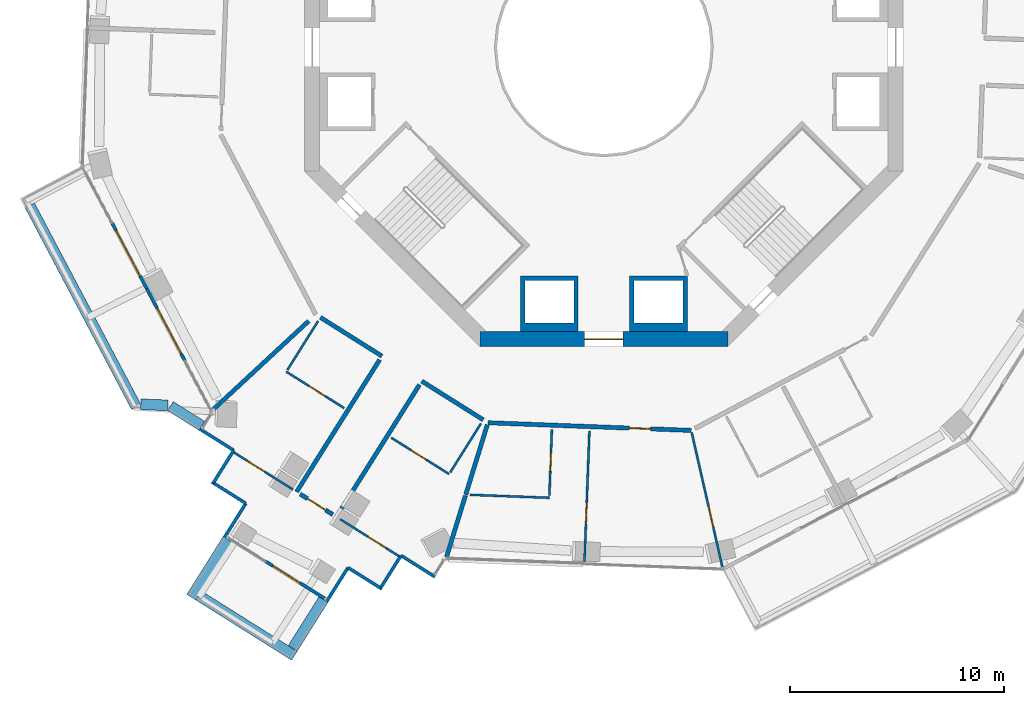
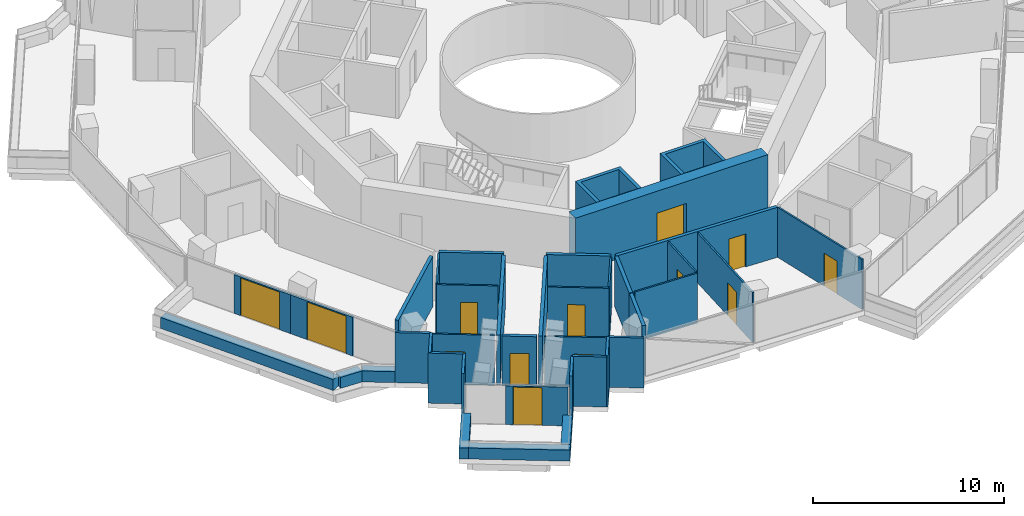
# One storey, part 15 of 23: 39 walls, 13 doors, 13 openings.
"""IFC4 building model written with IfcOpenShell, lengths in metres."""

from ifc_helpers import new_model, si_unit, direction, frame, frame_2d, origin, place, context, subcontext, project, spatial, polyline, rectangle, outline, extrude, material, layer, layer_set, type_object, element, fill, save


model = new_model("IFC4")

# Units and contexts
model_context = context("Model", 3, precision=1e-05, world=origin(), true_north=direction((0.0, 1.0)))
body_context = subcontext(model_context, "Body", "Model", "MODEL_VIEW")
ifc_project = project(units=[si_unit("LENGTHUNIT", "METRE"), si_unit("AREAUNIT", "SQUARE_METRE"), si_unit("VOLUMEUNIT", "CUBIC_METRE"), si_unit("PLANEANGLEUNIT", "RADIAN"), si_unit("MASSUNIT", "GRAM", prefix="KILO")], contexts=[model_context])

# Site, building, storey
site_placement = place(None, origin())
site = spatial("IfcSite", under=ifc_project, at=site_placement, CompositionType="ELEMENT")
building_placement = place(site_placement, origin())
building = spatial("IfcBuilding", under=site, at=building_placement, Name="Verdalira Terraces Hotel", CompositionType="ELEMENT")
storey_placement = place(building_placement, frame((0.0, 0.0, 147.0)))
storey = spatial("IfcBuildingStorey", under=building, at=storey_placement, Name="L35", CompositionType="ELEMENT", Elevation=147.0)

# Walls
ifc_material_1 = material(Name="Concrete C40", Category="concrete")
ifc_layer_1 = layer(ifc_material_1, 0.5)
ifc_layer_set_1 = layer_set([ifc_layer_1], Name="Balcony planter trough with tree")
wall_type_1 = type_object("IfcWallType", Name="Balcony planter trough with tree", PredefinedType="SOLIDWALL", material=ifc_layer_set_1)
wall_1_placement = place(storey_placement, frame((-26.861084, -7.400879, 0.0), z_axis=(0.0, 0.0, 1.0), x_axis=(0.466996617, -0.884259102, 0.0)))
element("IfcWall", 1, at=wall_1_placement, inside=storey, type_object=wall_type_1, Name="Balcony planter", PredefinedType="SOLIDWALL", context=body_context, shape_type="SweptSolid", body=[
    extrude(rectangle(XDim=10.652344, YDim=0.5, at=frame_2d((5.326172, 0.0))), origin(), (0.0, 0.0, 1.0), 0.699951),
])
wall_2_placement = place(storey_placement, frame((-21.665283, -16.703613, 0.0), z_axis=(0.0, 0.0, 1.0), x_axis=(0.999288074, -0.037727236, 0.0)))
element("IfcWall", 2, at=wall_2_placement, inside=storey, type_object=wall_type_1, Name="Balcony planter", PredefinedType="SOLIDWALL", context=body_context, shape_type="SweptSolid", body=[
    extrude(rectangle(XDim=1.261963, YDim=0.5, at=frame_2d((0.630859, 0.0))), origin(), (0.0, 0.0, 1.0), 0.699951),
])
wall_3_placement = place(storey_placement, frame((-20.280518, -16.789307, 0.0), z_axis=(0.0, 0.0, 1.0), x_axis=(0.846553018, -0.532304413, 0.0)))
element("IfcWall", 3, at=wall_3_placement, inside=storey, type_object=wall_type_1, Name="Balcony planter", PredefinedType="SOLIDWALL", context=body_context, shape_type="SweptSolid", body=[
    extrude(rectangle(XDim=1.730957, YDim=0.5, at=frame_2d((0.865479, 0.0))), origin(), (0.0, 0.0, 1.0), 0.699951),
])
wall_4_placement = place(storey_placement, frame((-17.604736, -23.020752, 0.0), z_axis=(0.0, 0.0, 1.0), x_axis=(-0.53229501, -0.846558931, 0.0)))
element("IfcWall", 4, at=wall_4_placement, inside=storey, type_object=wall_type_1, Name="Balcony planter", PredefinedType="SOLIDWALL", context=body_context, shape_type="SweptSolid", body=[
    extrude(rectangle(XDim=3.199219, YDim=0.5, at=frame_2d((1.599609, 0.0))), origin(), (0.0, 0.0, 1.0), 0.699951),
])
wall_5_placement = place(storey_placement, frame((-18.962891, -25.650391, 0.0), z_axis=(0.0, 0.0, 1.0), x_axis=(0.846571907, -0.532274371, 0.0)))
element("IfcWall", 5, at=wall_5_placement, inside=storey, type_object=wall_type_1, Name="Balcony planter", PredefinedType="SOLIDWALL", context=body_context, shape_type="SweptSolid", body=[
    extrude(rectangle(XDim=5.300049, YDim=0.5, at=frame_2d((2.649902, 0.0))), origin(), (0.0, 0.0, 1.0), 0.699951),
])
wall_6_placement = place(storey_placement, frame((-14.554688, -28.126709, 0.0), z_axis=(0.0, 0.0, 1.0), x_axis=(0.532314177, 0.846546878, 0.0)))
element("IfcWall", 6, at=wall_6_placement, inside=storey, type_object=wall_type_1, Name="Balcony planter", PredefinedType="SOLIDWALL", context=body_context, shape_type="SweptSolid", body=[
    extrude(rectangle(XDim=2.699219, YDim=0.5, at=frame_2d((1.349609, 0.0))), origin(), (0.0, 0.0, 1.0), 0.699951),
])

# Wall, opening, door
ifc_material_2 = material(Name="Moisture-resistant gypsum board partition")
ifc_layer_2 = layer(ifc_material_2, 0.10009765625)
ifc_layer_set_2 = layer_set([ifc_layer_2], Name="Bathroom partition 100 mm")
wall_type_2 = type_object("IfcWallType", Name="Bathroom partition 100 mm", PredefinedType="PARTITIONING", material=ifc_layer_set_2)
wall_7_placement = place(storey_placement, frame((-17.298096, -18.959961, 0.0), z_axis=(0.0, 0.0, 1.0), x_axis=(0.846561157, -0.532291469, 0.0)))
wall_7 = element("IfcWall", 7, at=wall_7_placement, inside=storey, type_object=wall_type_2, Name="Bathroom partition", PredefinedType="PARTITIONING", context=body_context, shape_type="SweptSolid", body=[
    extrude(rectangle(XDim=3.251953, YDim=0.100098, at=frame_2d((1.625977, 0.0))), origin(), (0.0, 0.0, 1.0), 3.189941),
])
opening_1_placement = place(wall_7_placement, frame((0.699951, 0.0, 0.0)))
opening_1 = element("IfcOpeningElement", 8, at=opening_1_placement, cuts=wall_7, Name="Opening L35-111", PredefinedType="OPENING", context=body_context, shape_type="SweptSolid", body=[
    extrude(rectangle(XDim=1.0, YDim=2.100098, at=frame_2d((0.5, 1.050049))), frame((0.0, 0.060059, 0.0), z_axis=(0.0, -1.0, 0.0), x_axis=(1.0, 0.0, 0.0)), (0.0, 0.0, 1.0), 0.120117),
])
ifc_material_3 = material(Name="Timber door", Category="wood")
door_type_1 = type_object("IfcDoorType", Name="Suite internal door 1000 x 2100", OperationType="NOTDEFINED", PredefinedType="DOOR", material=ifc_material_3)
door_1_placement = place(opening_1_placement, origin())
door_1 = element("IfcDoor", 9, at=door_1_placement, inside=storey, type_object=door_type_1, Name="Suite internal door 3505", OperationType="SINGLE_SWING_LEFT", OverallHeight=2.10009765625, OverallWidth=1.0, PredefinedType="DOOR", context=body_context, shape_type="SweptSolid", body=[
    extrude(rectangle(XDim=1.0, YDim=2.100098, at=frame_2d((0.5, 1.050049))), frame((0.0, 0.024902, 0.0), z_axis=(0.0, -1.0, 0.0), x_axis=(1.0, 0.0, 0.0)), (0.0, 0.0, 1.0), 0.050049),
])
fill(opening_1, door_1)

# Wall
wall_8_placement = place(storey_placement, frame((-13.368408, -12.807617, 0.0), z_axis=(0.0, 0.0, 1.0), x_axis=(-0.532321537, -0.84654225, 0.0)))
element("IfcWall", 10, at=wall_8_placement, inside=storey, type_object=wall_type_2, Name="Bathroom partition", PredefinedType="PARTITIONING", context=body_context, shape_type="SweptSolid", body=[
    extrude(rectangle(XDim=2.699951, YDim=0.100098, at=frame_2d((1.350098, 0.0))), origin(), (0.0, 0.0, 1.0), 3.189941),
])

# Wall, opening, door
wall_9_placement = place(storey_placement, frame((-14.858887, -15.177979, 0.0), z_axis=(0.0, 0.0, 1.0), x_axis=(0.846555022, -0.532301225, 0.0)))
wall_9 = element("IfcWall", 11, at=wall_9_placement, inside=storey, type_object=wall_type_2, Name="Bathroom partition", PredefinedType="PARTITIONING", context=body_context, shape_type="SweptSolid", body=[
    extrude(rectangle(XDim=3.199951, YDim=0.100098, at=frame_2d((1.600098, 0.0))), origin(), (0.0, 0.0, 1.0), 3.189941),
])
opening_2_placement = place(wall_9_placement, frame((1.25, 0.0, 0.0)))
opening_2 = element("IfcOpeningElement", 12, at=opening_2_placement, cuts=wall_9, Name="Opening L35-113", PredefinedType="OPENING", context=body_context, shape_type="SweptSolid", body=[
    extrude(rectangle(XDim=0.899902, YDim=2.100098, at=frame_2d((0.449951, 1.050049))), frame((0.0, 0.060059, 0.0), z_axis=(0.0, -1.0, 0.0), x_axis=(1.0, 0.0, 0.0)), (0.0, 0.0, 1.0), 0.120117),
])
ifc_material_4 = material(Name="Timber door", Category="wood")
door_type_2 = type_object("IfcDoorType", Name="Bathroom door 900 x 2100", OperationType="NOTDEFINED", PredefinedType="DOOR", material=ifc_material_4)
door_2_placement = place(opening_2_placement, origin())
door_2 = element("IfcDoor", 13, at=door_2_placement, inside=storey, type_object=door_type_2, Name="Bathroom door 3505", OperationType="SINGLE_SWING_LEFT", OverallHeight=2.10009765625, OverallWidth=0.89990234375, PredefinedType="DOOR", context=body_context, shape_type="SweptSolid", body=[
    extrude(rectangle(XDim=0.899902, YDim=2.100098, at=frame_2d((0.449951, 1.050049))), frame((0.0, 0.024902, 0.0), z_axis=(0.0, -1.0, 0.0), x_axis=(1.0, 0.0, 0.0)), (0.0, 0.0, 1.0), 0.050049),
])
fill(opening_2, door_2)

wall_10_placement = place(storey_placement, frame((-12.343994, -22.074707, 0.0), z_axis=(0.0, 0.0, 1.0), x_axis=(0.846527326, -0.53234527, 0.0)))
wall_10 = element("IfcWall", 14, at=wall_10_placement, inside=storey, type_object=wall_type_2, Name="Bathroom partition", PredefinedType="PARTITIONING", context=body_context, shape_type="SweptSolid", body=[
    extrude(rectangle(XDim=3.251953, YDim=0.100098, at=frame_2d((1.625977, 0.0))), origin(), (0.0, 0.0, 1.0), 3.189941),
])
opening_3_placement = place(wall_10_placement, frame((1.550049, 0.0, 0.0)))
opening_3 = element("IfcOpeningElement", 15, at=opening_3_placement, cuts=wall_10, Name="Opening L35-112", PredefinedType="OPENING", context=body_context, shape_type="SweptSolid", body=[
    extrude(rectangle(XDim=1.0, YDim=2.100098, at=frame_2d((0.5, 1.050049))), frame((0.0, 0.060059, 0.0), z_axis=(0.0, -1.0, 0.0), x_axis=(1.0, 0.0, 0.0)), (0.0, 0.0, 1.0), 0.120117),
])
door_3_placement = place(opening_3_placement, origin())
door_3 = element("IfcDoor", 16, at=door_3_placement, inside=storey, type_object=door_type_1, Name="Suite internal door 3505", OperationType="SINGLE_SWING_LEFT", OverallHeight=2.10009765625, OverallWidth=1.0, PredefinedType="DOOR", context=body_context, shape_type="SweptSolid", body=[
    extrude(rectangle(XDim=1.0, YDim=2.100098, at=frame_2d((0.5, 1.050049))), frame((0.0, 0.024902, 0.0), z_axis=(0.0, -1.0, 0.0), x_axis=(1.0, 0.0, 0.0)), (0.0, 0.0, 1.0), 0.050049),
])
fill(opening_3, door_3)

wall_11_placement = place(storey_placement, frame((-9.94873, -18.265137, 0.0), z_axis=(0.0, 0.0, 1.0), x_axis=(0.846555022, -0.532301225, 0.0)))
wall_11 = element("IfcWall", 17, at=wall_11_placement, inside=storey, type_object=wall_type_2, Name="Bathroom partition", PredefinedType="PARTITIONING", context=body_context, shape_type="SweptSolid", body=[
    extrude(rectangle(XDim=3.199951, YDim=0.100098, at=frame_2d((1.600098, 0.0))), origin(), (0.0, 0.0, 1.0), 3.189941),
])
opening_4_placement = place(wall_11_placement, frame((1.050049, 0.0, 0.0)))
opening_4 = element("IfcOpeningElement", 18, at=opening_4_placement, cuts=wall_11, Name="Opening L35-114", PredefinedType="OPENING", context=body_context, shape_type="SweptSolid", body=[
    extrude(rectangle(XDim=0.899902, YDim=2.100098, at=frame_2d((0.449951, 1.050049))), frame((0.0, 0.060059, 0.0), z_axis=(0.0, -1.0, 0.0), x_axis=(1.0, 0.0, 0.0)), (0.0, 0.0, 1.0), 0.120117),
])
door_4_placement = place(opening_4_placement, origin())
door_4 = element("IfcDoor", 19, at=door_4_placement, inside=storey, type_object=door_type_2, Name="Bathroom door 3505", OperationType="SINGLE_SWING_RIGHT", OverallHeight=2.10009765625, OverallWidth=0.89990234375, PredefinedType="DOOR", context=body_context, shape_type="SweptSolid", body=[
    extrude(rectangle(XDim=0.899902, YDim=2.100098, at=frame_2d((0.449951, 1.050049))), frame((0.0, 0.024902, 0.0), z_axis=(0.0, -1.0, 0.0), x_axis=(1.0, 0.0, 0.0)), (0.0, 0.0, 1.0), 0.050049),
])
fill(opening_4, door_4)

# Walls
wall_12_placement = place(storey_placement, frame((-7.186523, -19.883789, 0.0), z_axis=(0.0, 0.0, 1.0), x_axis=(0.532256732, 0.846582997, 0.0)))
element("IfcWall", 20, at=wall_12_placement, inside=storey, type_object=wall_type_2, Name="Bathroom partition", PredefinedType="PARTITIONING", context=body_context, shape_type="SweptSolid", body=[
    extrude(rectangle(XDim=2.699951, YDim=0.100098, at=frame_2d((1.350098, 0.0))), origin(), (0.0, 0.0, 1.0), 3.189941),
])
wall_13_placement = place(storey_placement, frame((-6.255859, -20.9375, 0.0), z_axis=(0.0, 0.0, 1.0), x_axis=(0.999291525, -0.03763574, 0.0)))
element("IfcWall", 21, at=wall_13_placement, inside=storey, type_object=wall_type_2, Name="Bathroom partition", PredefinedType="PARTITIONING", context=body_context, shape_type="SweptSolid", body=[
    extrude(rectangle(XDim=3.704102, YDim=0.100098, at=frame_2d((1.852051, 0.0))), origin(), (0.0, 0.0, 1.0), 3.189941),
])

# Wall, opening, door
wall_14_placement = place(storey_placement, frame((-2.550781, -20.977051, 0.0), z_axis=(0.0, 0.0, 1.0), x_axis=(0.037725333, 0.999288146, 0.0)))
wall_14 = element("IfcWall", 22, at=wall_14_placement, inside=storey, type_object=wall_type_2, Name="Bathroom partition", PredefinedType="PARTITIONING", context=body_context, shape_type="SweptSolid", body=[
    extrude(rectangle(XDim=3.099854, YDim=0.100098, at=frame_2d((1.549805, 0.0))), origin(), (0.0, 0.0, 1.0), 3.189941),
])
opening_5_placement = place(wall_14_placement, frame((1.149902, 0.0, 0.0)))
opening_5 = element("IfcOpeningElement", 23, at=opening_5_placement, cuts=wall_14, Name="Opening L35-118", PredefinedType="OPENING", context=body_context, shape_type="SweptSolid", body=[
    extrude(rectangle(XDim=0.899902, YDim=2.100098, at=frame_2d((0.449951, 1.050049))), frame((0.0, 0.060059, 0.0), z_axis=(0.0, -1.0, 0.0), x_axis=(1.0, 0.0, 0.0)), (0.0, 0.0, 1.0), 0.120117),
])
door_5_placement = place(opening_5_placement, origin())
door_5 = element("IfcDoor", 24, at=door_5_placement, inside=storey, type_object=door_type_2, Name="Bathroom door 3506", OperationType="SINGLE_SWING_LEFT", OverallHeight=2.10009765625, OverallWidth=0.89990234375, PredefinedType="DOOR", context=body_context, shape_type="SweptSolid", body=[
    extrude(rectangle(XDim=0.899902, YDim=2.100098, at=frame_2d((0.449951, 1.050049))), frame((0.0, 0.024902, 0.0), z_axis=(0.0, -1.0, 0.0), x_axis=(1.0, 0.0, 0.0)), (0.0, 0.0, 1.0), 0.050049),
])
fill(opening_5, door_5)

wall_15_placement = place(storey_placement, frame((-0.908691, -24.091309, 0.0), z_axis=(0.0, 0.0, 1.0), x_axis=(0.037672361, 0.999290145, 0.0)))
wall_15 = element("IfcWall", 25, at=wall_15_placement, inside=storey, type_object=wall_type_2, Name="Bathroom partition", PredefinedType="PARTITIONING", context=body_context, shape_type="SweptSolid", body=[
    extrude(rectangle(XDim=6.150146, YDim=0.100098, at=frame_2d((3.075195, 0.0))), origin(), (0.0, 0.0, 1.0), 3.189941),
])
opening_6_placement = place(wall_15_placement, frame((1.800049, 0.0, 0.0)))
opening_6 = element("IfcOpeningElement", 26, at=opening_6_placement, cuts=wall_15, Name="Opening L35-116", PredefinedType="OPENING", context=body_context, shape_type="SweptSolid", body=[
    extrude(rectangle(XDim=1.0, YDim=2.100098, at=frame_2d((0.5, 1.050049))), frame((0.0, 0.060059, 0.0), z_axis=(0.0, -1.0, 0.0), x_axis=(1.0, 0.0, 0.0)), (0.0, 0.0, 1.0), 0.120117),
])
door_6_placement = place(opening_6_placement, origin())
door_6 = element("IfcDoor", 27, at=door_6_placement, inside=storey, type_object=door_type_1, Name="Suite internal door 3506", OperationType="SINGLE_SWING_LEFT", OverallHeight=2.10009765625, OverallWidth=1.0, PredefinedType="DOOR", context=body_context, shape_type="SweptSolid", body=[
    extrude(rectangle(XDim=1.0, YDim=2.100098, at=frame_2d((0.5, 1.050049))), frame((0.0, 0.024902, 0.0), z_axis=(0.0, -1.0, 0.0), x_axis=(1.0, 0.0, 0.0)), (0.0, 0.0, 1.0), 0.050049),
])
fill(opening_6, door_6)

wall_16_placement = place(storey_placement, frame((4.108643, -18.025879, 0.0), z_axis=(0.0, 0.0, 1.0), x_axis=(0.222204416, -0.975000101, 0.0)))
wall_16 = element("IfcWall", 28, at=wall_16_placement, inside=storey, type_object=wall_type_2, Name="Bathroom partition", PredefinedType="PARTITIONING", context=body_context, shape_type="SweptSolid", body=[
    extrude(rectangle(XDim=6.47583, YDim=0.100098, at=frame_2d((3.237793, 0.0))), origin(), (0.0, 0.0, 1.0), 3.189941),
])
opening_7_placement = place(wall_16_placement, frame((3.550049, 0.0, 0.0)))
opening_7 = element("IfcOpeningElement", 29, at=opening_7_placement, cuts=wall_16, Name="Opening L35-117", PredefinedType="OPENING", context=body_context, shape_type="SweptSolid", body=[
    extrude(rectangle(XDim=1.0, YDim=2.100098, at=frame_2d((0.5, 1.050049))), frame((0.0, 0.060059, 0.0), z_axis=(0.0, -1.0, 0.0), x_axis=(1.0, 0.0, 0.0)), (0.0, 0.0, 1.0), 0.120117),
])
door_7_placement = place(opening_7_placement, origin())
door_7 = element("IfcDoor", 30, at=door_7_placement, inside=storey, type_object=door_type_1, Name="Suite internal door 3506", OperationType="SINGLE_SWING_LEFT", OverallHeight=2.10009765625, OverallWidth=1.0, PredefinedType="DOOR", context=body_context, shape_type="SweptSolid", body=[
    extrude(rectangle(XDim=1.0, YDim=2.100098, at=frame_2d((0.5, 1.050049))), frame((0.0, 0.024902, 0.0), z_axis=(0.0, -1.0, 0.0), x_axis=(1.0, 0.0, 0.0)), (0.0, 0.0, 1.0), 0.050049),
])
fill(opening_7, door_7)

# Walls
ifc_material_5 = material(Name="Concrete C50", Category="concrete")
ifc_layer_3 = layer(ifc_material_5, 0.199951171875)
ifc_layer_set_3 = layer_set([ifc_layer_3], Name="Core RC wall 200 C50")
wall_type_3 = type_object("IfcWallType", Name="Core RC wall 200 C50", PredefinedType="SOLIDWALL", material=ifc_layer_set_3)
wall_17_placement = place(storey_placement, origin())
element("IfcWall", 31, at=wall_17_placement, inside=storey, type_object=wall_type_3, Name="L35 shaft wall S1", PredefinedType="SOLIDWALL", context=body_context, shape_type="SweptSolid", body=[
    extrude(outline(polyline([(-1.199951, -13.300049), (-3.899902, -13.300049), (-3.899902, -10.699951), (-1.199951, -10.699951), (-1.199951, -13.300049)]), holes=[polyline([(-3.699951, -10.899902), (-3.699951, -12.899902), (-1.399902, -12.899902), (-1.399902, -10.899902), (-3.699951, -10.899902)])]), origin(), (0.0, 0.0, 1.0), 3.189941),
])
wall_18_placement = place(storey_placement, origin())
element("IfcWall", 32, at=wall_18_placement, inside=storey, type_object=wall_type_3, Name="L35 shaft wall S2", PredefinedType="SOLIDWALL", context=body_context, shape_type="SweptSolid", body=[
    extrude(outline(polyline([(3.899902, -10.699951), (3.899902, -13.300049), (1.199951, -13.300049), (1.199951, -10.699951), (3.899902, -10.699951)]), holes=[polyline([(1.399902, -12.899902), (3.699951, -12.899902), (3.699951, -10.899902), (1.399902, -10.899902), (1.399902, -12.899902)])]), origin(), (0.0, 0.0, 1.0), 3.189941),
])

# Wall, opening, door
ifc_material_6 = material(Name="Concrete C60", Category="concrete")
ifc_layer_4 = layer(ifc_material_6, 0.699951171875)
ifc_layer_set_4 = layer_set([ifc_layer_4], Name="Core wall 700 C60")
wall_type_4 = type_object("IfcWallType", Name="Core wall 700 C60", PredefinedType="SHEAR", material=ifc_layer_set_4)
wall_19_placement = place(storey_placement, frame((-5.799072, -13.649902, 0.0), z_axis=(0.0, 0.0, 1.0), x_axis=(1.0, 0.0, 0.0)))
wall_19 = element("IfcWall", 33, at=wall_19_placement, inside=storey, type_object=wall_type_4, Name="Core wall CW-L35-7", PredefinedType="SHEAR", context=body_context, shape_type="SweptSolid", body=[
    extrude(rectangle(XDim=11.598145, YDim=0.699951, at=frame_2d((5.799072, 0.0))), origin(), (0.0, 0.0, 1.0), 3.5),
])
opening_8_placement = place(wall_19_placement, frame((4.898926, 0.0, 0.0)))
opening_8 = element("IfcOpeningElement", 34, at=opening_8_placement, cuts=wall_19, Name="Opening L35-815", PredefinedType="OPENING", context=body_context, shape_type="SweptSolid", body=[
    extrude(rectangle(XDim=1.800049, YDim=2.100098, at=frame_2d((0.899902, 1.050049))), frame((0.0, 0.359863, 0.0), z_axis=(0.0, -1.0, 0.0), x_axis=(1.0, 0.0, 0.0)), (0.0, 0.0, 1.0), 0.719971),
])
ifc_material_7 = material(Name="Steel fire door", Category="steel")
door_type_3 = type_object("IfcDoorType", Name="Core entry door pair 1800 x 2100", OperationType="NOTDEFINED", PredefinedType="DOOR", material=ifc_material_7)
door_8_placement = place(opening_8_placement, origin())
door_8 = element("IfcDoor", 35, at=door_8_placement, inside=storey, type_object=door_type_3, Name="Core entry door L35 6", OperationType="DOUBLE_DOOR_SINGLE_SWING", OverallHeight=2.10009765625, OverallWidth=1.800048828125, PredefinedType="DOOR", context=body_context, shape_type="SweptSolid", body=[
    extrude(rectangle(XDim=1.800049, YDim=2.100098, at=frame_2d((0.899902, 1.050049))), frame((0.0, 0.024902, 0.0), z_axis=(0.0, -1.0, 0.0), x_axis=(1.0, 0.0, 0.0)), (0.0, 0.0, 1.0), 0.050049),
])
fill(opening_8, door_8)

# Walls
ifc_material_8 = material(Name="Fire-rated gypsum board wall")
ifc_layer_5 = layer(ifc_material_8, 0.199951171875)
ifc_layer_set_5 = layer_set([ifc_layer_5], Name="Demising wall 200 mm")
wall_type_5 = type_object("IfcWallType", Name="Demising wall 200 mm", PredefinedType="SOLIDWALL", material=ifc_layer_set_5)
wall_20_placement = place(storey_placement, frame((-13.808594, -12.804932, 0.0), z_axis=(0.0, 0.0, 1.0), x_axis=(-0.733259856, -0.679948516, 0.0)))
element("IfcWall", 36, at=wall_20_placement, inside=storey, type_object=wall_type_5, Name="Demising wall", PredefinedType="SOLIDWALL", context=body_context, shape_type="SweptSolid", body=[
    extrude(rectangle(XDim=6.13208, YDim=0.199951, at=frame_2d((3.065918, 0.0))), origin(), (0.0, 0.0, 1.0), 3.189941),
])
wall_21_placement = place(storey_placement, frame((-6.476807, -20.975342, 0.0), z_axis=(0.0, 0.0, 1.0), x_axis=(-0.295088304, -0.955469985, 0.0)))
element("IfcWall", 37, at=wall_21_placement, inside=storey, type_object=wall_type_5, Name="Demising wall", PredefinedType="SOLIDWALL", context=body_context, shape_type="SweptSolid", body=[
    extrude(rectangle(XDim=3.011475, YDim=0.199951, at=frame_2d((1.505859, 0.0))), origin(), (0.0, 0.0, 1.0), 3.189941),
])
wall_22_placement = place(storey_placement, frame((-5.454834, -17.665283, 0.0), z_axis=(0.0, 0.0, 1.0), x_axis=(-0.2950443, -0.955483574, 0.0)))
element("IfcWall", 38, at=wall_22_placement, inside=storey, type_object=wall_type_5, Name="Demising wall", PredefinedType="SOLIDWALL", context=body_context, shape_type="SweptSolid", body=[
    extrude(rectangle(XDim=3.418213, YDim=0.199951, at=frame_2d((1.708984, 0.0))), origin(), (0.0, 0.0, 1.0), 3.189941),
])

# Wall, opening, door
ifc_material_9 = material(Name="Fire-rated gypsum board wall")
ifc_layer_6 = layer(ifc_material_9, 0.199951171875)
ifc_layer_set_6 = layer_set([ifc_layer_6], Name="Guest corridor wall 200 mm")
wall_type_6 = type_object("IfcWallType", Name="Guest corridor wall 200 mm", PredefinedType="SOLIDWALL", material=ifc_layer_set_6)
wall_23_placement = place(storey_placement, frame((-12.680908, -21.862793, 0.0), z_axis=(0.0, 0.0, 1.0), x_axis=(-0.84659648, 0.532235287, 0.0)))
wall_23 = element("IfcWall", 39, at=wall_23_placement, inside=storey, type_object=wall_type_6, Name="Guest corridor wall", PredefinedType="SOLIDWALL", context=body_context, shape_type="SweptSolid", body=[
    extrude(rectangle(XDim=1.804199, YDim=0.199951, at=frame_2d((0.9021, 0.0))), origin(), (0.0, 0.0, 1.0), 3.189941),
])
opening_9_placement = place(wall_23_placement, frame((0.399902, 0.0, 0.0)))
opening_9 = element("IfcOpeningElement", 40, at=opening_9_placement, cuts=wall_23, Name="Opening L35-110", PredefinedType="OPENING", context=body_context, shape_type="SweptSolid", body=[
    extrude(rectangle(XDim=1.0, YDim=2.100098, at=frame_2d((0.5, 1.050049))), frame((0.0, 0.109863, 0.0), z_axis=(0.0, -1.0, 0.0), x_axis=(1.0, 0.0, 0.0)), (0.0, 0.0, 1.0), 0.219971),
])
ifc_material_10 = material(Name="Timber fire door", Category="wood")
door_type_4 = type_object("IfcDoorType", Name="Guest entry door 1000 x 2100", OperationType="NOTDEFINED", PredefinedType="DOOR", material=ifc_material_10)
door_9_placement = place(opening_9_placement, origin())
door_9 = element("IfcDoor", 41, at=door_9_placement, inside=storey, type_object=door_type_4, Name="Guest entry door 3505", OperationType="SINGLE_SWING_LEFT", OverallHeight=2.10009765625, OverallWidth=1.0, PredefinedType="DOOR", context=body_context, shape_type="SweptSolid", body=[
    extrude(rectangle(XDim=1.0, YDim=2.100098, at=frame_2d((0.5, 1.050049))), frame((0.0, 0.024902, 0.0), z_axis=(0.0, -1.0, 0.0), x_axis=(1.0, 0.0, 0.0)), (0.0, 0.0, 1.0), 0.050049),
])
fill(opening_9, door_9)

# Walls
wall_24_placement = place(storey_placement, frame((-10.490234, -14.617432, 0.0), z_axis=(0.0, 0.0, 1.0), x_axis=(-0.532290716, -0.84656163, 0.0)))
element("IfcWall", 42, at=wall_24_placement, inside=storey, type_object=wall_type_6, Name="Guest corridor wall", PredefinedType="SOLIDWALL", context=body_context, shape_type="SweptSolid", body=[
    extrude(rectangle(XDim=7.300049, YDim=0.199951, at=frame_2d((3.649902, 0.0))), origin(), (0.0, 0.0, 1.0), 3.189941),
])
wall_25_placement = place(storey_placement, frame((-13.261963, -12.638184, 0.0), z_axis=(0.0, 0.0, 1.0), x_axis=(0.846546871, -0.532314188, 0.0)))
element("IfcWall", 43, at=wall_25_placement, inside=storey, type_object=wall_type_6, Name="Guest corridor wall", PredefinedType="SOLIDWALL", context=body_context, shape_type="SweptSolid", body=[
    extrude(rectangle(XDim=3.399902, YDim=0.199951, at=frame_2d((1.699951, 0.0))), origin(), (0.0, 0.0, 1.0), 3.189941),
])
wall_26_placement = place(storey_placement, frame((-12.513428, -21.968262, 0.0), z_axis=(0.0, 0.0, 1.0), x_axis=(0.532290716, 0.84656163, 0.0)))
element("IfcWall", 44, at=wall_26_placement, inside=storey, type_object=wall_type_6, Name="Guest corridor wall", PredefinedType="SOLIDWALL", context=body_context, shape_type="SweptSolid", body=[
    extrude(rectangle(XDim=7.300049, YDim=0.199951, at=frame_2d((3.649902, 0.0))), origin(), (0.0, 0.0, 1.0), 3.189941),
])
wall_27_placement = place(storey_placement, frame((-8.52124, -15.619141, 0.0), z_axis=(0.0, 0.0, 1.0), x_axis=(0.846546871, -0.532314188, 0.0)))
element("IfcWall", 45, at=wall_27_placement, inside=storey, type_object=wall_type_6, Name="Guest corridor wall", PredefinedType="SOLIDWALL", context=body_context, shape_type="SweptSolid", body=[
    extrude(rectangle(XDim=3.399902, YDim=0.199951, at=frame_2d((1.699951, 0.0))), origin(), (0.0, 0.0, 1.0), 3.189941),
])

# Wall, opening, door
wall_28_placement = place(storey_placement, frame((4.085693, -17.925049, 0.0), z_axis=(0.0, 0.0, 1.0), x_axis=(-0.999289656, 0.037685326, 0.0)))
wall_28 = element("IfcWall", 46, at=wall_28_placement, inside=storey, type_object=wall_type_6, Name="Guest corridor wall", PredefinedType="SOLIDWALL", context=body_context, shape_type="SweptSolid", body=[
    extrude(rectangle(XDim=9.516846, YDim=0.199951, at=frame_2d((4.758301, 0.0))), origin(), (0.0, 0.0, 1.0), 3.189941),
])
opening_10_placement = place(wall_28_placement, frame((1.899902, 0.0, 0.0)))
opening_10 = element("IfcOpeningElement", 47, at=opening_10_placement, cuts=wall_28, Name="Opening L35-115", PredefinedType="OPENING", context=body_context, shape_type="SweptSolid", body=[
    extrude(rectangle(XDim=1.0, YDim=2.100098, at=frame_2d((0.5, 1.050049))), frame((0.0, 0.109863, 0.0), z_axis=(0.0, -1.0, 0.0), x_axis=(1.0, 0.0, 0.0)), (0.0, 0.0, 1.0), 0.219971),
])
door_10_placement = place(opening_10_placement, origin())
door_10 = element("IfcDoor", 48, at=door_10_placement, inside=storey, type_object=door_type_4, Name="Guest entry door 3506", OperationType="SINGLE_SWING_LEFT", OverallHeight=2.10009765625, OverallWidth=1.0, PredefinedType="DOOR", context=body_context, shape_type="SweptSolid", body=[
    extrude(rectangle(XDim=1.0, YDim=2.100098, at=frame_2d((0.5, 1.050049))), frame((0.0, 0.024902, 0.0), z_axis=(0.0, -1.0, 0.0), x_axis=(1.0, 0.0, 0.0)), (0.0, 0.0, 1.0), 0.050049),
])
fill(opening_10, door_10)

# Walls
ifc_material_11 = material(Name="Terracotta cladding", Category="masonry")
ifc_layer_7 = layer(ifc_material_11, 0.14990234375)
ifc_layer_set_7 = layer_set([ifc_layer_7], Name="Terracotta clad wall 150")
wall_type_7 = type_object("IfcWallType", Name="Terracotta clad wall 150", PredefinedType="SOLIDWALL", material=ifc_layer_set_7)
wall_29_placement = place(storey_placement, frame((-18.907471, -17.859375, 0.0), z_axis=(0.0, 0.0, 1.0), x_axis=(0.846576204, -0.532267537, 0.0)))
element("IfcWall", 49, at=wall_29_placement, inside=storey, type_object=wall_type_7, Name="Terracotta cladding wall", PredefinedType="SOLIDWALL", context=body_context, shape_type="SweptSolid", body=[
    extrude(rectangle(XDim=1.875, YDim=0.149902, at=frame_2d((0.9375, 0.0))), origin(), (0.0, 0.0, 1.0), 3.189941),
])
wall_30_placement = place(storey_placement, frame((-17.320068, -18.857422, 0.0), z_axis=(0.0, 0.0, 1.0), x_axis=(-0.532215988, -0.846608612, 0.0)))
element("IfcWall", 50, at=wall_30_placement, inside=storey, type_object=wall_type_7, Name="Terracotta cladding wall", PredefinedType="SOLIDWALL", context=body_context, shape_type="SweptSolid", body=[
    extrude(rectangle(XDim=1.800049, YDim=0.149902, at=frame_2d((0.899902, 0.0))), origin(), (0.0, 0.0, 1.0), 3.189941),
])
for number, where, z_axis, x_axis, name in (
    (51, (-18.341797, -20.341309, 0.0), (0.0, 0.0, 1.0), (0.846576204, -0.532267537, 0.0), "Terracotta cladding wall"),
    (52, (-16.754395, -21.339355, 0.0), (0.0, 0.0, 1.0), (-0.532267537, -0.846576204, 0.0), "Terracotta cladding wall"),
    (53, (-12.969238, -25.934082, 0.0), (0.0, 0.0, 1.0), (0.532326212, 0.846539311, 0.0), "Terracotta cladding wall"),
):
    element("IfcWall", number, at=place(storey_placement, frame(where, z_axis=z_axis, x_axis=x_axis)), inside=storey, type_object=wall_type_7, Name=name, PredefinedType="SOLIDWALL", context=body_context, shape_type="SweptSolid", body=[
        extrude(rectangle(XDim=1.875, YDim=0.149902, at=frame_2d((0.9375, 0.0))), origin(), (0.0, 0.0, 1.0), 3.189941),
    ])
wall_31_placement = place(storey_placement, frame((-11.971191, -24.346924, 0.0), z_axis=(0.0, 0.0, 1.0), x_axis=(0.846570188, -0.532277106, 0.0)))
element("IfcWall", 54, at=wall_31_placement, inside=storey, type_object=wall_type_7, Name="Terracotta cladding wall", PredefinedType="SOLIDWALL", context=body_context, shape_type="SweptSolid", body=[
    extrude(rectangle(XDim=1.799805, YDim=0.149902, at=frame_2d((0.899902, 0.0))), origin(), (0.0, 0.0, 1.0), 3.189941),
])
for number, where, z_axis, x_axis, name in (
    (55, (-10.487305, -25.368408, 0.0), (0.0, 0.0, 1.0), (0.532326212, 0.846539311, 0.0), "Terracotta cladding wall"),
    (56, (-9.489258, -23.78125, 0.0), (0.0, 0.0, 1.0), (0.846539311, -0.532326212, 0.0), "Terracotta cladding wall"),
):
    element("IfcWall", number, at=place(storey_placement, frame(where, z_axis=z_axis, x_axis=x_axis)), inside=storey, type_object=wall_type_7, Name=name, PredefinedType="SOLIDWALL", context=body_context, shape_type="SweptSolid", body=[
        extrude(rectangle(XDim=1.875, YDim=0.149902, at=frame_2d((0.9375, 0.0))), origin(), (0.0, 0.0, 1.0), 3.189941),
    ])

# Wall, opening, door
ifc_material_12 = material(Name="Terracotta cladding", Category="masonry")
ifc_layer_8 = layer(ifc_material_12, 0.14990234375)
ifc_layer_set_8 = layer_set([ifc_layer_8], Name="Terracotta door pier 150")
wall_type_8 = type_object("IfcWallType", Name="Terracotta door pier 150", PredefinedType="SOLIDWALL", material=ifc_layer_set_8)
wall_32_placement = place(storey_placement, frame((-23.00708, -8.220947, 0.0), z_axis=(0.0, 0.0, 1.0), x_axis=(0.466999775, -0.884257434, 0.0)))
wall_32 = element("IfcWall", 57, at=wall_32_placement, inside=storey, type_object=wall_type_8, Name="Terracotta door pier", PredefinedType="SOLIDWALL", context=body_context, shape_type="SweptSolid", body=[
    extrude(rectangle(XDim=3.474854, YDim=0.149902, at=frame_2d((1.737305, 0.0))), origin(), (0.0, 0.0, 1.0), 2.475098),
])
opening_11_placement = place(wall_32_placement, frame((0.399902, 0.0, 0.0)))
opening_11 = element("IfcOpeningElement", 58, at=opening_11_placement, cuts=wall_32, Name="Opening L35-B04", PredefinedType="OPENING", context=body_context, shape_type="SweptSolid", body=[
    extrude(rectangle(XDim=2.399902, YDim=2.399902, at=frame_2d((1.199951, 1.199951))), frame((0.0, 0.084961, 0.0), z_axis=(0.0, -1.0, 0.0), x_axis=(1.0, 0.0, 0.0)), (0.0, 0.0, 1.0), 0.169922),
])
ifc_material_13 = material(Name="Clear glass", Category="glass")
door_type_5 = type_object("IfcDoorType", Name="Balcony sliding door 2400x2400", OperationType="NOTDEFINED", PredefinedType="DOOR", material=ifc_material_13)
door_11_placement = place(opening_11_placement, origin())
door_11 = element("IfcDoor", 59, at=door_11_placement, inside=storey, type_object=door_type_5, Name="Balcony sliding door", OperationType="SLIDING_TO_RIGHT", OverallHeight=2.39990234375, OverallWidth=2.39990234375, PredefinedType="DOOR", context=body_context, shape_type="SweptSolid", body=[
    extrude(rectangle(XDim=2.399902, YDim=2.399902, at=frame_2d((1.199951, 1.199951))), frame((0.0, 0.024902, 0.0), z_axis=(0.0, -1.0, 0.0), x_axis=(1.0, 0.0, 0.0)), (0.0, 0.0, 1.0), 0.050049),
])
fill(opening_11, door_11)

wall_33_placement = place(storey_placement, frame((-21.384277, -11.293701, 0.0), z_axis=(0.0, 0.0, 1.0), x_axis=(0.467013054, -0.884250421, 0.0)))
wall_33 = element("IfcWall", 60, at=wall_33_placement, inside=storey, type_object=wall_type_8, Name="Terracotta door pier", PredefinedType="SOLIDWALL", context=body_context, shape_type="SweptSolid", body=[
    extrude(rectangle(XDim=3.835449, YDim=0.149902, at=frame_2d((1.917725, 0.0))), origin(), (0.0, 0.0, 1.0), 2.475098),
])
opening_12_placement = place(wall_33_placement, frame((1.0354, 0.0, 0.0)))
opening_12 = element("IfcOpeningElement", 61, at=opening_12_placement, cuts=wall_33, Name="Opening L35-B05", PredefinedType="OPENING", context=body_context, shape_type="SweptSolid", body=[
    extrude(rectangle(XDim=2.399902, YDim=2.399902, at=frame_2d((1.199951, 1.199951))), frame((0.0, 0.084961, 0.0), z_axis=(0.0, -1.0, 0.0), x_axis=(1.0, 0.0, 0.0)), (0.0, 0.0, 1.0), 0.169922),
])
door_12_placement = place(opening_12_placement, origin())
door_12 = element("IfcDoor", 62, at=door_12_placement, inside=storey, type_object=door_type_5, Name="Balcony sliding door", OperationType="SLIDING_TO_LEFT", OverallHeight=2.39990234375, OverallWidth=2.39990234375, PredefinedType="DOOR", context=body_context, shape_type="SweptSolid", body=[
    extrude(rectangle(XDim=2.399902, YDim=2.399902, at=frame_2d((1.199951, 1.199951))), frame((0.0, 0.024902, 0.0), z_axis=(0.0, -1.0, 0.0), x_axis=(1.0, 0.0, 0.0)), (0.0, 0.0, 1.0), 0.050049),
])
fill(opening_12, door_12)

wall_34_placement = place(storey_placement, frame((-15.820312, -24.052979, 0.0), z_axis=(0.0, 0.0, 1.0), x_axis=(0.846581592, -0.532258968, 0.0)))
wall_34 = element("IfcWall", 63, at=wall_34_placement, inside=storey, type_object=wall_type_8, Name="Terracotta door pier", PredefinedType="SOLIDWALL", context=body_context, shape_type="SweptSolid", body=[
    extrude(rectangle(XDim=3.26001, YDim=0.149902, at=frame_2d((1.629883, 0.0))), origin(), (0.0, 0.0, 1.0), 2.475098),
])
opening_13_placement = place(wall_34_placement, frame((0.399902, 0.0, 0.0)))
opening_13 = element("IfcOpeningElement", 64, at=opening_13_placement, cuts=wall_34, Name="Opening L35-B06", PredefinedType="OPENING", context=body_context, shape_type="SweptSolid", body=[
    extrude(rectangle(XDim=1.5, YDim=2.399902, at=frame_2d((0.75, 1.199951))), frame((0.0, 0.084961, 0.0), z_axis=(0.0, -1.0, 0.0), x_axis=(1.0, 0.0, 0.0)), (0.0, 0.0, 1.0), 0.169922),
])
ifc_material_14 = material(Name="Clear glass", Category="glass")
door_type_6 = type_object("IfcDoorType", Name="Balcony sliding door 1500x2400", OperationType="NOTDEFINED", PredefinedType="DOOR", material=ifc_material_14)
door_13_placement = place(opening_13_placement, origin())
door_13 = element("IfcDoor", 65, at=door_13_placement, inside=storey, type_object=door_type_6, Name="Balcony sliding door", OperationType="SLIDING_TO_RIGHT", OverallHeight=2.39990234375, OverallWidth=1.5, PredefinedType="DOOR", context=body_context, shape_type="SweptSolid", body=[
    extrude(rectangle(XDim=1.5, YDim=2.399902, at=frame_2d((0.75, 1.199951))), frame((0.0, 0.024902, 0.0), z_axis=(0.0, -1.0, 0.0), x_axis=(1.0, 0.0, 0.0)), (0.0, 0.0, 1.0), 0.050049),
])
fill(opening_13, door_13)

save(model, "model.ifc")
